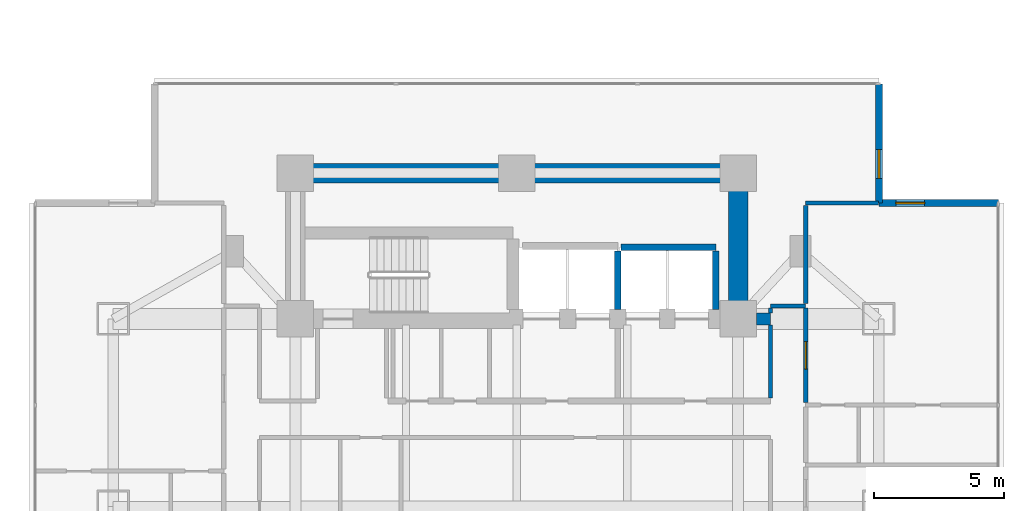
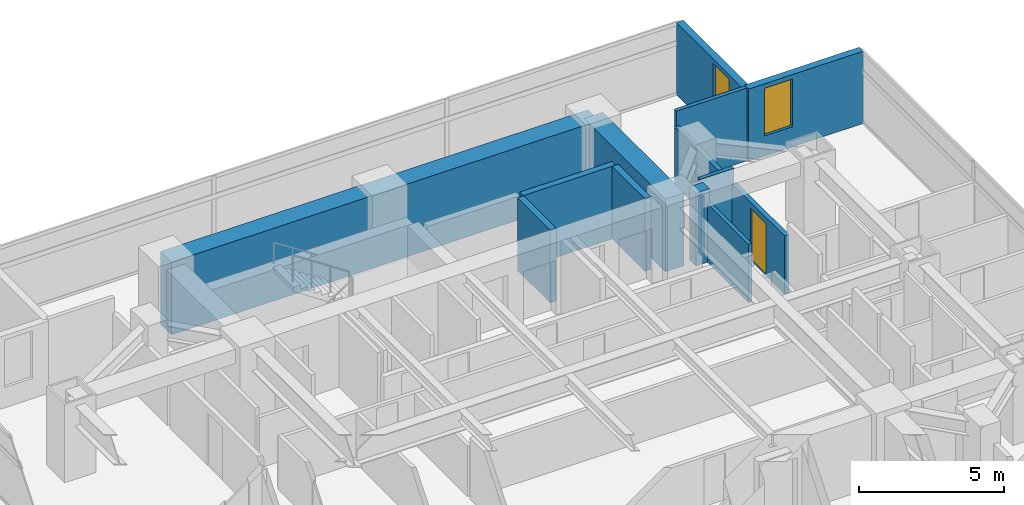
# One storey, part 19 of 25: 14 walls, 2 windows, 1 door, 3 openings.
"""IFC4 building model written with IfcOpenShell, lengths in metres."""

import ifcopenshell
import ifcopenshell.guid

model = None  # the IFC model being written
_history = None  # IfcOwnerHistory: only IFC2X3 demands one
_inside = {}  # id of a spatial element -> (the spatial element, [elements in it])
_under = {}  # id of a project, library or spatial element -> (it, [spatial elements below it])
_declared = {}  # id of a project -> (the project, [libraries it declares])
_typed = {}  # id of a type object -> (the type object, [elements of that type])
_made_of = {}  # id of a material, layer set ... -> (it, [elements and type objects made of it])


def new_model(schema):
    """Start an empty IFC model of exactly this schema.

    Asked for "IFC4X3", IfcOpenShell would pick the latest addendum, in which some entities
    have other attributes; the version numbers below select the first issue.
    IFC2X3 requires an IfcOwnerHistory on every rooted entity: one is made here for all.
    """
    global model, _history
    if schema == "IFC4X3":
        model = ifcopenshell.file(schema_version=(4, 3, 0, 0))
    else:
        model = ifcopenshell.file(schema=schema)
    _inside.clear()
    _under.clear()
    _declared.clear()
    _typed.clear()
    _made_of.clear()
    _history = None
    if model.schema == "IFC2X3":
        org = make("IfcOrganization", Name="unknown")
        user = make(
            "IfcPersonAndOrganization",
            ThePerson=make("IfcPerson", FamilyName="unknown"),
            TheOrganization=org,
        )
        app = make(
            "IfcApplication",
            ApplicationDeveloper=org,
            Version="unknown",
            ApplicationFullName="unknown",
            ApplicationIdentifier="unknown",
        )
        _history = make(
            "IfcOwnerHistory",
            OwningUser=user,
            OwningApplication=app,
            ChangeAction="ADDED",
            CreationDate=0,
        )
    return model


def make(cls, **values):
    """One entity of the class cls with the attributes given. An attribute that is None is left unset."""
    return model.create_entity(
        cls, **{name: value for name, value in values.items() if value is not None}
    )


def rooted(cls, **values):
    """An entity with a GlobalId (a new one), such as an element, a storey or a relation."""
    return make(cls, GlobalId=ifcopenshell.guid.new(), OwnerHistory=_history, **values)


def si_unit(unit_type, name, prefix=None):
    """IfcSIUnit, for example si_unit("LENGTHUNIT", "METRE", prefix="MILLI")."""
    return make("IfcSIUnit", UnitType=unit_type, Prefix=prefix, Name=name)


def assignment(units):
    """IfcUnitAssignment: the units of a project."""
    return None if units is None else make("IfcUnitAssignment", Units=units)


def point(xyz):
    """IfcCartesianPoint."""
    return None if xyz is None else make("IfcCartesianPoint", Coordinates=xyz)


def direction(xyz):
    """IfcDirection."""
    return None if xyz is None else make("IfcDirection", DirectionRatios=xyz)


def frame(location, z_axis=None, x_axis=None):
    """IfcAxis2Placement3D, a coordinate frame: its origin and axes. An axis left out is left unset."""
    return make(
        "IfcAxis2Placement3D",
        Location=point(location),
        Axis=direction(z_axis),
        RefDirection=direction(x_axis),
    )


def frame_2d(location, x_axis=None):
    """IfcAxis2Placement2D, a coordinate frame in the plane: its origin and x axis."""
    return make(
        "IfcAxis2Placement2D", Location=point(location), RefDirection=direction(x_axis)
    )


def origin():
    """The frame at (0, 0, 0) with its axes left unset."""
    return frame((0.0, 0.0, 0.0))


def place(relative_to, where):
    """IfcLocalPlacement: puts the frame where relative to a parent placement (None: the world)."""
    return make(
        "IfcLocalPlacement", PlacementRelTo=relative_to, RelativePlacement=where
    )


def context(
    kind, dimensions, precision=None, world=None, true_north=None, identifier=None
):
    """IfcGeometricRepresentationContext, for example the 3D "Model" context."""
    return make(
        "IfcGeometricRepresentationContext",
        ContextIdentifier=identifier,
        ContextType=kind,
        CoordinateSpaceDimension=dimensions,
        Precision=precision,
        WorldCoordinateSystem=world,
        TrueNorth=true_north,
    )


def subcontext(parent, identifier, kind, view, scale=None):
    """IfcGeometricRepresentationSubContext, for example "Body" below "Model"."""
    return make(
        "IfcGeometricRepresentationSubContext",
        ContextIdentifier=identifier,
        ContextType=kind,
        ParentContext=parent,
        TargetScale=scale,
        TargetView=view,
    )


def project(units=None, contexts=None):
    """IfcProject with its units and contexts."""
    return rooted(
        "IfcProject",
        Name="project",
        RepresentationContexts=contexts,
        UnitsInContext=assignment(units),
    )


def spatial(cls, under=None, at=None, **own):
    """A site, building, storey or space (cls), placed at a placement, below another one or the project."""
    s = rooted(cls, ObjectPlacement=at, **own)
    if under is not None:
        _under.setdefault(under.id(), (under, []))[1].append(s)
    return s


def profile(cls, at=None, kind="AREA", **sizes):
    """A parametric profile (cls). Its sizes go by their IFC names, for example OverallWidth=200.0."""
    return make(cls, ProfileType=kind, Position=at, **sizes)


def rectangle(**sizes):
    """IfcRectangleProfileDef."""
    return profile("IfcRectangleProfileDef", **sizes)


def extrude(swept, where, along, depth):
    """IfcExtrudedAreaSolid: the profile swept, set in the frame where, extruded along a direction by depth."""
    return make(
        "IfcExtrudedAreaSolid",
        SweptArea=swept,
        Position=where,
        ExtrudedDirection=direction(along),
        Depth=depth,
    )


def shape(context_of_items, identifier, shape_type, items):
    """IfcShapeRepresentation: the items that make up one representation, for example the "Body"."""
    return make(
        "IfcShapeRepresentation",
        ContextOfItems=context_of_items,
        RepresentationIdentifier=identifier,
        RepresentationType=shape_type,
        Items=items,
    )


def material(Name=None, Category=None):
    """IfcMaterial."""
    return make("IfcMaterial", Name=Name, Category=Category)


def layer(
    of_material, thickness, ventilated=None, Name=None, Category=None, Priority=None
):
    """IfcMaterialLayer: one layer of a wall or slab, of a material (None: an air gap)."""
    return make(
        "IfcMaterialLayer",
        Material=of_material,
        LayerThickness=thickness,
        IsVentilated=ventilated,
        Name=Name,
        Category=Category,
        Priority=Priority,
    )


def layer_set(layers, Name=None):
    """IfcMaterialLayerSet."""
    return make("IfcMaterialLayerSet", MaterialLayers=layers, LayerSetName=Name)


def made_of(thing, what):
    """Note that an element or type object is made of a material, layer set ...; save() writes the relation."""
    if what is not None:
        _made_of.setdefault(what.id(), (what, []))[1].append(thing)
    return thing


def type_object(cls, material=None, **own):
    """A type object (cls), such as IfcWallType, which elements share."""
    return made_of(rooted(cls, **own), material)


def element(
    cls,
    number,
    at=None,
    inside=None,
    cuts=None,
    type_object=None,
    material=None,
    context=None,
    identifier="Body",
    shape_type=None,
    held_by="IfcProductDefinitionShape",
    body=None,
    shapes=None,
    **own,
):
    """One element of the class cls, such as IfcWall. Its Tag is "e" and its number.

    at: its placement. inside: the storey or other place that contains it. cuts: it is an
    opening in that element (IfcRelVoidsElement). A single representation is given by context,
    identifier, shape_type and body (its items); several are given by shapes. held_by: the class
    of the entity that holds the representations. save() writes the other relations.
    """
    e = rooted(cls, Tag="e%d" % number, ObjectPlacement=at, **own)
    if body is not None:
        shapes = [shape(context, identifier, shape_type, body)]
    if shapes is not None:
        e.Representation = make(held_by, Representations=shapes)
    if inside is not None:
        _inside.setdefault(inside.id(), (inside, []))[1].append(e)
    if cuts is not None:
        rooted(
            "IfcRelVoidsElement", RelatingBuildingElement=cuts, RelatedOpeningElement=e
        )
    if type_object is not None:
        _typed.setdefault(type_object.id(), (type_object, []))[1].append(e)
    return made_of(e, material)


def fill(opening, filler):
    """IfcRelFillsElement: the door or window that sits in an opening."""
    return rooted(
        "IfcRelFillsElement",
        RelatingOpeningElement=opening,
        RelatedBuildingElement=filler,
    )


def aggregate(whole, parts):
    """IfcRelAggregates: a whole, such as a stair, and the parts it consists of."""
    return rooted("IfcRelAggregates", RelatingObject=whole, RelatedObjects=parts)


def save(model, path):
    """Write the relations noted so far, then the file.

    IfcRelAggregates (storeys below a building ...), IfcRelContainedInSpatialStructure (elements
    in a storey), IfcRelDefinesByType, IfcRelAssociatesMaterial and IfcRelDeclares: one each for
    every whole, place, type object, material and project.
    """
    for whole, parts in _under.values():
        aggregate(whole, parts)
    for where, things in _inside.values():
        rooted(
            "IfcRelContainedInSpatialStructure",
            RelatedElements=things,
            RelatingStructure=where,
        )
    for kind, things in _typed.values():
        rooted("IfcRelDefinesByType", RelatedObjects=things, RelatingType=kind)
    for what, things in _made_of.values():
        rooted("IfcRelAssociatesMaterial", RelatedObjects=things, RelatingMaterial=what)
    for by, libraries in _declared.values():
        rooted("IfcRelDeclares", RelatingContext=by, RelatedDefinitions=libraries)
    model.write(path)


model = new_model("IFC4")

# Units and contexts
model_context = context("Model", 3, precision=1e-05, world=origin(), true_north=direction((0.0, 1.0)))
body_context = subcontext(model_context, "Body", "Model", "MODEL_VIEW")
ifc_project = project(units=[si_unit("LENGTHUNIT", "METRE"), si_unit("AREAUNIT", "SQUARE_METRE"), si_unit("VOLUMEUNIT", "CUBIC_METRE"), si_unit("PLANEANGLEUNIT", "RADIAN"), si_unit("MASSUNIT", "GRAM", prefix="KILO")], contexts=[model_context])

# Site, building, storey
site_placement = place(None, origin())
site = spatial("IfcSite", under=ifc_project, at=site_placement, CompositionType="ELEMENT")
building_placement = place(site_placement, origin())
building = spatial("IfcBuilding", under=site, at=building_placement, Name="Mirazonda Arch Towers", CompositionType="ELEMENT")
storey_placement = place(building_placement, frame((0.0, 0.0, 32.300048828125)))
storey = spatial("IfcBuildingStorey", under=building, at=storey_placement, Name="L08", CompositionType="ELEMENT", Elevation=32.300048828125)

# Walls
ifc_material_1 = material(Name="Concrete C50/60", Category="concrete")
ifc_layer_1 = layer(ifc_material_1, 0.449951171875, Name="WALL-CORE-450")
ifc_layer_set_1 = layer_set([ifc_layer_1], Name="Concrete C50/60")
wall_type_1 = type_object("IfcWallType", Name="WALL-CORE-450", PredefinedType="SHEAR", material=ifc_layer_set_1)
wall_1_placement = place(storey_placement, frame((85.715087890625, 35.199951171875, 0.0), z_axis=(0.0, 0.0, 1.0), x_axis=(1.0, 0.0, 0.0)))
element("IfcWall", 1, at=wall_1_placement, inside=storey, type_object=wall_type_1, Name="L08 Stair Core Shear Wall 049", PredefinedType="SHEAR", context=body_context, shape_type="SweptSolid", body=[
    extrude(rectangle(XDim=0.534912109375, YDim=0.449951171875, at=frame_2d((0.267578125, 0.0))), origin(), (0.0, 0.0, 1.0), 3.06005859375),
])
ifc_material_2 = material(Name="Concrete C60/75", Category="concrete")
ifc_layer_2 = layer(ifc_material_2, 0.75, Name="WALL-CORE-750")
ifc_layer_set_2 = layer_set([ifc_layer_2], Name="Concrete C60/75")
wall_type_2 = type_object("IfcWallType", Name="WALL-CORE-750", PredefinedType="SHEAR", material=ifc_layer_set_2)
wall_2_placement = place(storey_placement, frame((68.0, 40.800048828125, 0.0), z_axis=(0.0, 0.0, 1.0), x_axis=(1.0, 0.0, 0.0)))
element("IfcWall", 2, at=wall_2_placement, inside=storey, type_object=wall_type_2, Name="L08 T2N-N Core Shear Wall", PredefinedType="SHEAR", context=body_context, shape_type="SweptSolid", body=[
    extrude(rectangle(XDim=17.0, YDim=0.75, at=frame_2d((8.5, 0.0))), origin(), (0.0, 0.0, 1.0), 3.06005859375),
])
wall_3_placement = place(storey_placement, frame((85.0, 35.199951171875, 0.0), z_axis=(0.0, 0.0, 1.0), x_axis=(0.0, 1.0, 0.0)))
element("IfcWall", 3, at=wall_3_placement, inside=storey, type_object=wall_type_2, Name="L08 T2N-E Core Shear Wall", PredefinedType="SHEAR", context=body_context, shape_type="SweptSolid", body=[
    extrude(rectangle(XDim=5.60009765625, YDim=0.75, at=frame_2d((2.800048828125, 0.0))), origin(), (0.0, 0.0, 1.0), 3.06005859375),
])

# Wall, opening, window
ifc_material_3 = material(Name="Precast Concrete C40/50", Category="concrete")
ifc_layer_3 = layer(ifc_material_3, 0.280029296875, Name="WALL-EXT-WALL-280")
ifc_layer_set_3 = layer_set([ifc_layer_3], Name="Precast Concrete C40/50")
wall_type_3 = type_object("IfcWallType", Name="WALL-EXT-WALL-280", PredefinedType="SOLIDWALL", material=ifc_layer_set_3)
wall_4_placement = place(storey_placement, frame((90.4140625, 39.64990234375, 0.0), z_axis=(0.0, 0.0, 1.0), x_axis=(0.0, 1.0, 0.0)))
wall_4 = element("IfcWall", 4, at=wall_4_placement, inside=storey, type_object=wall_type_3, Name="L08 T2 Notched NE Corner Wall WL-L08-T2-CNE", PredefinedType="SOLIDWALL", context=body_context, shape_type="SweptSolid", body=[
    extrude(rectangle(XDim=4.580078125, YDim=0.280029296875, at=frame_2d((2.2900390625, 0.0))), origin(), (0.0, 0.0, 1.0), 3.0400390625),
])
opening_1_placement = place(wall_4_placement, frame((0.949951171875, 0.0, 0.85009765625)))
opening_1 = element("IfcOpeningElement", 5, at=opening_1_placement, cuts=wall_4, Name="Opening WN-108", PredefinedType="OPENING", context=body_context, shape_type="SweptSolid", body=[
    extrude(rectangle(XDim=1.10009765625, YDim=2.0, at=frame_2d((0.550048828125, 1.0))), frame((0.0, 0.14990234375, 0.0), z_axis=(0.0, -1.0, 0.0), x_axis=(1.0, 0.0, 0.0)), (0.0, 0.0, 1.0), 0.300048828125),
])
ifc_material_4 = material(Name="Insulated Low-E Solar Glass", Category="glass")
window_type = type_object("IfcWindowType", Name="WIN-NOTCH-1100x2000", PartitioningType="SINGLE_PANEL", PredefinedType="WINDOW", material=ifc_material_4)
window_1_placement = place(opening_1_placement, origin())
window_1 = element("IfcWindow", 6, at=window_1_placement, inside=storey, type_object=window_type, Name="L08 Punched Facade Window WN-L08-T2-CNE", OverallHeight=2.0, OverallWidth=1.10009765625, PartitioningType="SINGLE_PANEL", PredefinedType="WINDOW", context=body_context, shape_type="SweptSolid", body=[
    extrude(rectangle(XDim=1.10009765625, YDim=2.0, at=frame_2d((0.550048828125, 1.0))), frame((0.0, 0.030029296875, 0.0), z_axis=(0.0, -1.0, 0.0), x_axis=(1.0, 0.0, 0.0)), (0.0, 0.0, 1.0), 0.06005859375),
])
fill(opening_1, window_1)

wall_5_placement = place(storey_placement, frame((94.993896484375, 39.64990234375, 0.0), z_axis=(0.0, 0.0, 1.0), x_axis=(-1.0, 0.0, 0.0)))
wall_5 = element("IfcWall", 7, at=wall_5_placement, inside=storey, type_object=wall_type_3, Name="L08 T2 Corner Notch Return Wall WL-L08-T2-CNE2", PredefinedType="SOLIDWALL", context=body_context, shape_type="SweptSolid", body=[
    extrude(rectangle(XDim=4.579833984375, YDim=0.280029296875, at=frame_2d((2.2900390625, 0.0))), origin(), (0.0, 0.0, 1.0), 3.0400390625),
])
opening_2_placement = place(wall_5_placement, frame((2.830078125, 0.0, 0.85009765625)))
opening_2 = element("IfcOpeningElement", 8, at=opening_2_placement, cuts=wall_5, Name="Opening WN-108", PredefinedType="OPENING", context=body_context, shape_type="SweptSolid", body=[
    extrude(rectangle(XDim=1.10009765625, YDim=2.0, at=frame_2d((0.550048828125, 1.0))), frame((0.0, 0.14990234375, 0.0), z_axis=(0.0, -1.0, 0.0), x_axis=(1.0, 0.0, 0.0)), (0.0, 0.0, 1.0), 0.300048828125),
])
window_2_placement = place(opening_2_placement, origin())
window_2 = element("IfcWindow", 9, at=window_2_placement, inside=storey, type_object=window_type, Name="L08 Punched Facade Window WN-L08-T2-CNE2", OverallHeight=2.0, OverallWidth=1.10009765625, PartitioningType="SINGLE_PANEL", PredefinedType="WINDOW", context=body_context, shape_type="SweptSolid", body=[
    extrude(rectangle(XDim=1.10009765625, YDim=2.0, at=frame_2d((0.550048828125, 1.0))), frame((0.0, 0.030029296875, 0.0), z_axis=(0.0, -1.0, 0.0), x_axis=(1.0, 0.0, 0.0)), (0.0, 0.0, 1.0), 0.06005859375),
])
fill(opening_2, window_2)

# Walls
ifc_material_5 = material(Name="Fire-Rated Gypsum Stud Partition")
ifc_layer_4 = layer(ifc_material_5, 0.14990234375, Name="WALL-PART-CORR-150")
ifc_layer_set_4 = layer_set([ifc_layer_4], Name="Fire-Rated Gypsum Stud Partition")
wall_type_4 = type_object("IfcWallType", Name="WALL-PART-CORR-150", PredefinedType="PARTITIONING", material=ifc_layer_set_4)
wall_6_placement = place(storey_placement, frame((86.25, 35.699951171875, 0.0), z_axis=(0.0, 0.0, 1.0), x_axis=(1.0, 0.0, 0.0)))
element("IfcWall", 10, at=wall_6_placement, inside=storey, type_object=wall_type_4, Name="L08 Interior Partition 051", PredefinedType="PARTITIONING", context=body_context, shape_type="SweptSolid", body=[
    extrude(rectangle(XDim=1.35009765625, YDim=0.14990234375, at=frame_2d((0.675048828125, 0.0))), origin(), (0.0, 0.0, 1.0), 3.06005859375),
])
wall_7_placement = place(storey_placement, frame((87.60009765625, 39.64990234375, 0.0), z_axis=(0.0, 0.0, 1.0), x_axis=(1.0, 0.0, 0.0)))
element("IfcWall", 11, at=wall_7_placement, inside=storey, type_object=wall_type_4, Name="L08 Interior Partition 056", PredefinedType="PARTITIONING", context=body_context, shape_type="SweptSolid", body=[
    extrude(rectangle(XDim=2.7939453125, YDim=0.14990234375, at=frame_2d((1.39697265625, 0.0))), origin(), (0.0, 0.0, 1.0), 3.06005859375),
])
wall_8_placement = place(storey_placement, frame((86.25, 32.169921875, 0.0), z_axis=(0.0, 0.0, 1.0), x_axis=(0.0, 1.0, 0.0)))
element("IfcWall", 12, at=wall_8_placement, inside=storey, type_object=wall_type_4, Name="L08 Interior Partition 148", PredefinedType="PARTITIONING", context=body_context, shape_type="SweptSolid", body=[
    extrude(rectangle(XDim=2.795166015625, YDim=0.14990234375, at=frame_2d((1.3974609375, 0.0))), origin(), (0.0, 0.0, 1.0), 2.451904296875),
])
wall_9_placement = place(storey_placement, frame((86.25, 35.43505859375, 0.0), z_axis=(0.0, 0.0, 1.0), x_axis=(0.0, 1.0, 0.0)))
element("IfcWall", 13, at=wall_9_placement, inside=storey, type_object=wall_type_4, Name="L08 Interior Partition 149", PredefinedType="PARTITIONING", context=body_context, shape_type="SweptSolid", body=[
    extrude(rectangle(XDim=0.179931640625, YDim=0.14990234375, at=frame_2d((0.08984375, 0.0))), origin(), (0.0, 0.0, 1.0), 2.451904296875),
])

# Wall, opening, door
ifc_material_6 = material(Name="Fire-Rated Gypsum Twin-Stud Assembly")
ifc_layer_5 = layer(ifc_material_6, 0.179931640625, Name="WALL-PART-DEMISE-180")
ifc_layer_set_5 = layer_set([ifc_layer_5], Name="Fire-Rated Gypsum Twin-Stud Assembly")
wall_type_5 = type_object("IfcWallType", Name="WALL-PART-DEMISE-180", PredefinedType="PARTITIONING", material=ifc_layer_set_5)
wall_10_placement = place(storey_placement, frame((87.60009765625, 31.98095703125, 0.0), z_axis=(0.0, 0.0, 1.0), x_axis=(0.0, 1.0, 0.0)))
wall_10 = element("IfcWall", 14, at=wall_10_placement, inside=storey, type_object=wall_type_5, Name="L08 Interior Partition 156", PredefinedType="PARTITIONING", context=body_context, shape_type="SweptSolid", body=[
    extrude(rectangle(XDim=3.634033203125, YDim=0.179931640625, at=frame_2d((1.81689453125, 0.0))), origin(), (0.0, 0.0, 1.0), 2.451904296875),
])
opening_3_placement = place(wall_10_placement, frame((1.2919921875, 0.0, 0.0)))
opening_3 = element("IfcOpeningElement", 15, at=opening_3_placement, cuts=wall_10, Name="Opening DR-121", PredefinedType="OPENING", context=body_context, shape_type="SweptSolid", body=[
    extrude(rectangle(XDim=1.050048828125, YDim=2.199951171875, at=frame_2d((0.52490234375, 1.10009765625))), frame((0.0, 0.099853515625, 0.0), z_axis=(0.0, -1.0, 0.0), x_axis=(1.0, 0.0, 0.0)), (0.0, 0.0, 1.0), 0.199951171875),
])
ifc_material_7 = material(Name="Architectural Brushed Steel S355", Category="steel")
door_type = type_object("IfcDoorType", Name="DOOR-SUITE-FD60-1050", OperationType="NOTDEFINED", PredefinedType="DOOR", material=ifc_material_7)
door_placement = place(opening_3_placement, origin())
door = element("IfcDoor", 16, at=door_placement, inside=storey, type_object=door_type, Name="L08 King Hotel Guestroom 3 Door", OperationType="SINGLE_SWING_LEFT", OverallHeight=2.199951171875, OverallWidth=1.050048828125, PredefinedType="DOOR", context=body_context, shape_type="SweptSolid", body=[
    extrude(rectangle(XDim=1.050048828125, YDim=2.199951171875, at=frame_2d((0.52490234375, 1.10009765625))), frame((0.0, 0.02490234375, 0.0), z_axis=(0.0, -1.0, 0.0), x_axis=(1.0, 0.0, 0.0)), (0.0, 0.0, 1.0), 0.050048828125),
])
fill(opening_3, door)

# Walls
wall_11_placement = place(storey_placement, frame((87.60009765625, 35.784912109375, 0.0), z_axis=(0.0, 0.0, 1.0), x_axis=(0.0, 1.0, 0.0)))
element("IfcWall", 17, at=wall_11_placement, inside=storey, type_object=wall_type_5, Name="L08 Interior Partition 157", PredefinedType="PARTITIONING", context=body_context, shape_type="SweptSolid", body=[
    extrude(rectangle(XDim=3.780029296875, YDim=0.179931640625, at=frame_2d((1.89013671875, 0.0))), origin(), (0.0, 0.0, 1.0), 2.43603515625),
])
ifc_material_8 = material(Name="Concrete C40/50", Category="concrete")
ifc_layer_6 = layer(ifc_material_8, 0.25, Name="WALL-SHAFT-250")
ifc_layer_set_6 = layer_set([ifc_layer_6], Name="Concrete C40/50")
wall_type_6 = type_object("IfcWallType", Name="WALL-SHAFT-250", PredefinedType="SOLIDWALL", material=ifc_layer_set_6)
wall_12_placement = place(storey_placement, frame((80.5, 37.949951171875, 0.0), z_axis=(0.0, 0.0, 1.0), x_axis=(1.0, 0.0, 0.0)))
element("IfcWall", 18, at=wall_12_placement, inside=storey, type_object=wall_type_6, Name="L08 Interior Partition 052", PredefinedType="SOLIDWALL", context=body_context, shape_type="SweptSolid", body=[
    extrude(rectangle(XDim=3.64990234375, YDim=0.25, at=frame_2d((1.824951171875, 0.0))), origin(), (0.0, 0.0, 1.0), 3.06005859375),
])
for number, where, z_axis, x_axis, name in (
    (19, (80.3798828125, 35.570068359375, 0.0), (0.0, 0.0, 1.0), (0.0, 1.0, 0.0), "L08 Interior Partition 142"),
    (20, (84.14990234375, 35.570068359375, 0.0), (0.0, 0.0, 1.0), (0.0, 1.0, 0.0), "L08 Interior Partition 144"),
):
    element("IfcWall", number, at=place(storey_placement, frame(where, z_axis=z_axis, x_axis=x_axis)), inside=storey, type_object=wall_type_6, Name=name, PredefinedType="SOLIDWALL", context=body_context, shape_type="SweptSolid", body=[
        extrude(rectangle(XDim=2.244873046875, YDim=0.25, at=frame_2d((1.12255859375, 0.0))), origin(), (0.0, 0.0, 1.0), 3.06005859375),
    ])

save(model, "model.ifc")
